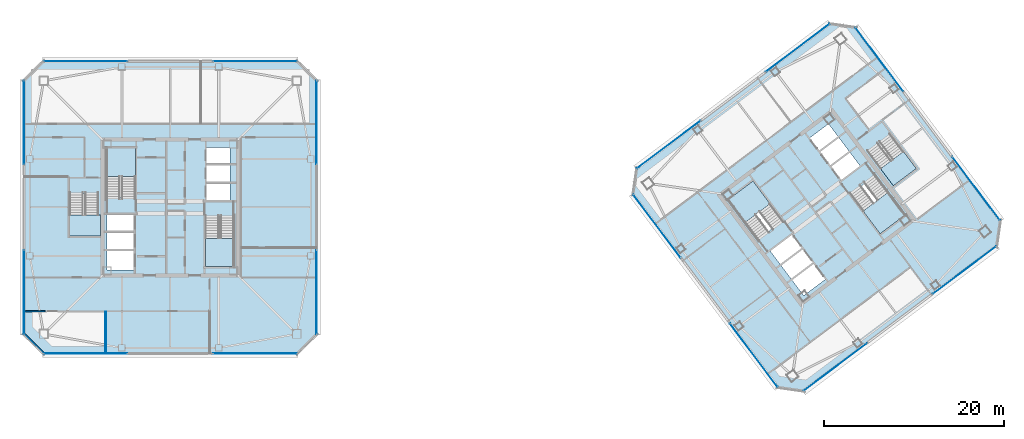
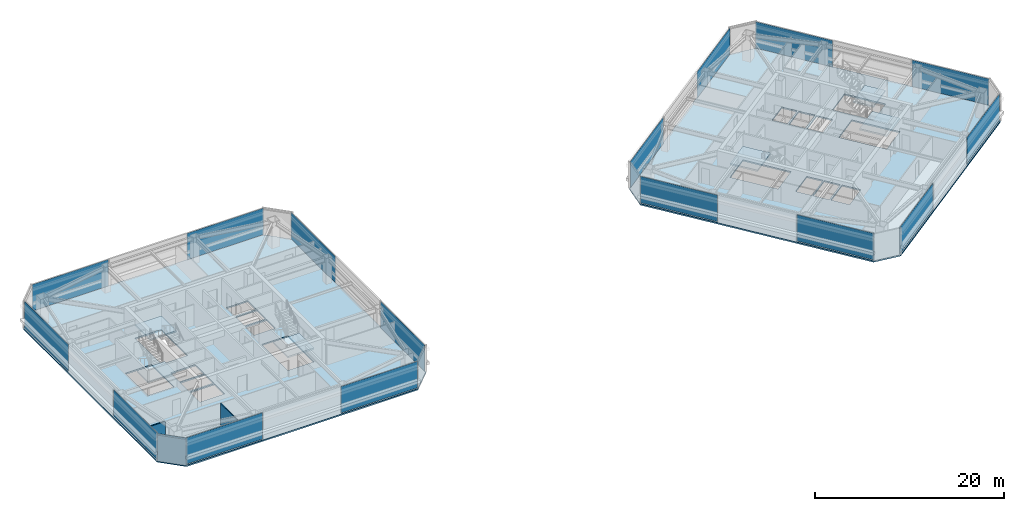
# One storey, part 28 of 39: 16 plates, 8 slabs, 3 walls, 22 elements without a shape of their own.
"""IFC4 building model written with IfcOpenShell, lengths in metres."""

from ifc_helpers import new_model, si_unit, direction, frame, frame_2d, origin, origin_2d, place, context, subcontext, project, spatial, polyline, rectangle, outline, extrude, material, layer, layer_set, type_object, element, aggregate, save


model = new_model("IFC4")

# Units and contexts
model_context = context("Model", 3, precision=1e-05, world=origin(), true_north=direction((0.0, 1.0)))
body_context = subcontext(model_context, "Body", "Model", "MODEL_VIEW")
ifc_project = project(units=[si_unit("LENGTHUNIT", "METRE"), si_unit("AREAUNIT", "SQUARE_METRE"), si_unit("VOLUMEUNIT", "CUBIC_METRE"), si_unit("PLANEANGLEUNIT", "RADIAN"), si_unit("MASSUNIT", "GRAM", prefix="KILO")], contexts=[model_context])

# Site, building, storey
site_placement = place(None, origin())
site = spatial("IfcSite", under=ifc_project, at=site_placement, CompositionType="ELEMENT")
building_placement = place(site_placement, origin())
building = spatial("IfcBuilding", under=site, at=building_placement, Name="Tashvorn Skyway Center", CompositionType="ELEMENT")
storey_placement = place(building_placement, frame((0.0, 0.0, 207.75)))
storey = spatial("IfcBuildingStorey", under=building, at=storey_placement, Name="L56", CompositionType="ELEMENT", Elevation=207.75)

# Curtain wall, plate
ifc_material_1 = material(Name="Thermally broken bronze-anodized aluminium 6063-T6", Category="aluminium")
curtain_wall_type = type_object("IfcCurtainWallType", Name="CW-CW-Z5", PredefinedType="NOTDEFINED", material=ifc_material_1)
curtain_wall_1_placement = place(storey_placement, origin())
curtain_wall_1 = element("IfcCurtainWall", 1, at=curtain_wall_1_placement, inside=storey, type_object=curtain_wall_type, Name="Tower 1 L56 South Unitised Curtain Wall Glazing Group 1", PredefinedType="NOTDEFINED")
ifc_material_2 = material(Name="Low-E solar-control double insulating safety glass", Category="glass")
ifc_layer_1 = layer(ifc_material_2, 0.031982421875)
ifc_layer_set_1 = layer_set([ifc_layer_1], Name="Low-E solar-control double insulating safety glass")
plate_type = type_object("IfcPlateType", Name="CWP-CW-Z5", PredefinedType="CURTAIN_PANEL", material=ifc_layer_set_1)
plate_1_placement = place(storey_placement, frame((51.453369140625, 15.719970703125, 0.06982421875), z_axis=(0.0, 0.0, 1.0), x_axis=(-1.0, 0.0, 0.0)))
plate_1 = element("IfcPlate", 2, at=plate_1_placement, type_object=plate_type, Name="CW-Z5 panel 1.1", PredefinedType="CURTAIN_PANEL", context=body_context, shape_type="SweptSolid", body=[
    extrude(rectangle(XDim=9.313232421875, YDim=0.031982421875, at=origin_2d()), origin(), (0.0, 0.0, 1.0), 3.409912109375),
])
aggregate(curtain_wall_1, [plate_1])

curtain_wall_2_placement = place(storey_placement, origin())
curtain_wall_2 = element("IfcCurtainWall", 3, at=curtain_wall_2_placement, inside=storey, type_object=curtain_wall_type, Name="Tower 1 L56 South Unitised Curtain Wall Glazing Group 2", PredefinedType="NOTDEFINED")
plate_2_placement = place(storey_placement, frame((32.546630859375, 15.719970703125, 0.06982421875), z_axis=(0.0, 0.0, 1.0), x_axis=(-1.0, 0.0, 0.0)))
plate_2 = element("IfcPlate", 4, at=plate_2_placement, type_object=plate_type, Name="CW-Z5 panel 1.1", PredefinedType="CURTAIN_PANEL", context=body_context, shape_type="SweptSolid", body=[
    extrude(rectangle(XDim=9.313232421875, YDim=0.031982421875, at=origin_2d()), origin(), (0.0, 0.0, 1.0), 3.409912109375),
])
aggregate(curtain_wall_2, [plate_2])

curtain_wall_3_placement = place(storey_placement, origin())
curtain_wall_3 = element("IfcCurtainWall", 5, at=curtain_wall_3_placement, inside=storey, type_object=curtain_wall_type, Name="Tower 1 L56 West Unitised Curtain Wall Glazing Group 1", PredefinedType="NOTDEFINED")
plate_3_placement = place(storey_placement, frame((25.719970703125, 22.546630859375, 0.06982421875), z_axis=(0.0, 0.0, 1.0), x_axis=(0.0, 1.0, 0.0)))
plate_3 = element("IfcPlate", 6, at=plate_3_placement, type_object=plate_type, Name="CW-Z5 panel 1.1", PredefinedType="CURTAIN_PANEL", context=body_context, shape_type="SweptSolid", body=[
    extrude(rectangle(XDim=9.313232421875, YDim=0.031982421875, at=origin_2d()), origin(), (0.0, 0.0, 1.0), 3.409912109375),
])
aggregate(curtain_wall_3, [plate_3])

curtain_wall_4_placement = place(storey_placement, origin())
curtain_wall_4 = element("IfcCurtainWall", 7, at=curtain_wall_4_placement, inside=storey, type_object=curtain_wall_type, Name="Tower 1 L56 West Unitised Curtain Wall Glazing Group 2", PredefinedType="NOTDEFINED")
plate_4_placement = place(storey_placement, frame((25.719970703125, 41.453369140625, 0.06982421875), z_axis=(0.0, 0.0, 1.0), x_axis=(0.0, 1.0, 0.0)))
plate_4 = element("IfcPlate", 8, at=plate_4_placement, type_object=plate_type, Name="CW-Z5 panel 1.1", PredefinedType="CURTAIN_PANEL", context=body_context, shape_type="SweptSolid", body=[
    extrude(rectangle(XDim=9.313232421875, YDim=0.031982421875, at=origin_2d()), origin(), (0.0, 0.0, 1.0), 3.409912109375),
])
aggregate(curtain_wall_4, [plate_4])

curtain_wall_5_placement = place(storey_placement, origin())
curtain_wall_5 = element("IfcCurtainWall", 9, at=curtain_wall_5_placement, inside=storey, type_object=curtain_wall_type, Name="Tower 1 L56 North Unitised Curtain Wall Glazing Group 1", PredefinedType="NOTDEFINED")
plate_5_placement = place(storey_placement, frame((32.546630859375, 48.280029296875, 0.06982421875), z_axis=(0.0, 0.0, 1.0), x_axis=(1.0, 0.0, 0.0)))
plate_5 = element("IfcPlate", 10, at=plate_5_placement, type_object=plate_type, Name="CW-Z5 panel 1.1", PredefinedType="CURTAIN_PANEL", context=body_context, shape_type="SweptSolid", body=[
    extrude(rectangle(XDim=9.313232421875, YDim=0.031982421875, at=origin_2d()), origin(), (0.0, 0.0, 1.0), 3.409912109375),
])
aggregate(curtain_wall_5, [plate_5])

curtain_wall_6_placement = place(storey_placement, origin())
curtain_wall_6 = element("IfcCurtainWall", 11, at=curtain_wall_6_placement, inside=storey, type_object=curtain_wall_type, Name="Tower 1 L56 North Unitised Curtain Wall Glazing Group 2", PredefinedType="NOTDEFINED")
plate_6_placement = place(storey_placement, frame((51.453369140625, 48.280029296875, 0.06982421875), z_axis=(0.0, 0.0, 1.0), x_axis=(1.0, 0.0, 0.0)))
plate_6 = element("IfcPlate", 12, at=plate_6_placement, type_object=plate_type, Name="CW-Z5 panel 1.1", PredefinedType="CURTAIN_PANEL", context=body_context, shape_type="SweptSolid", body=[
    extrude(rectangle(XDim=9.313232421875, YDim=0.031982421875, at=origin_2d()), origin(), (0.0, 0.0, 1.0), 3.409912109375),
])
aggregate(curtain_wall_6, [plate_6])

curtain_wall_7_placement = place(storey_placement, origin())
curtain_wall_7 = element("IfcCurtainWall", 13, at=curtain_wall_7_placement, inside=storey, type_object=curtain_wall_type, Name="Tower 1 L56 East Unitised Curtain Wall Glazing Group 1", PredefinedType="NOTDEFINED")
plate_7_placement = place(storey_placement, frame((58.280029296875, 41.453369140625, 0.06982421875), z_axis=(0.0, 0.0, 1.0), x_axis=(0.0, -1.0, 0.0)))
plate_7 = element("IfcPlate", 14, at=plate_7_placement, type_object=plate_type, Name="CW-Z5 panel 1.1", PredefinedType="CURTAIN_PANEL", context=body_context, shape_type="SweptSolid", body=[
    extrude(rectangle(XDim=9.313232421875, YDim=0.031982421875, at=origin_2d()), origin(), (0.0, 0.0, 1.0), 3.409912109375),
])
aggregate(curtain_wall_7, [plate_7])

curtain_wall_8_placement = place(storey_placement, origin())
curtain_wall_8 = element("IfcCurtainWall", 15, at=curtain_wall_8_placement, inside=storey, type_object=curtain_wall_type, Name="Tower 1 L56 East Unitised Curtain Wall Glazing Group 2", PredefinedType="NOTDEFINED")
plate_8_placement = place(storey_placement, frame((58.280029296875, 22.546630859375, 0.06982421875), z_axis=(0.0, 0.0, 1.0), x_axis=(0.0, -1.0, 0.0)))
plate_8 = element("IfcPlate", 16, at=plate_8_placement, type_object=plate_type, Name="CW-Z5 panel 1.1", PredefinedType="CURTAIN_PANEL", context=body_context, shape_type="SweptSolid", body=[
    extrude(rectangle(XDim=9.313232421875, YDim=0.031982421875, at=origin_2d()), origin(), (0.0, 0.0, 1.0), 3.409912109375),
])
aggregate(curtain_wall_8, [plate_8])

curtain_wall_9_placement = place(storey_placement, origin())
curtain_wall_9 = element("IfcCurtainWall", 17, at=curtain_wall_9_placement, inside=storey, type_object=curtain_wall_type, Name="Tower 2 L56 South Unitised Curtain Wall Glazing Group 1", PredefinedType="NOTDEFINED")
plate_9_placement = place(storey_placement, frame((130.477294921875, 25.008056640625, 0.06982421875), z_axis=(0.0, 0.0, 1.0), x_axis=(-0.799998664683, -0.600001780418, 0.0)))
plate_9 = element("IfcPlate", 18, at=plate_9_placement, type_object=plate_type, Name="CW-Z5 panel 1.1", PredefinedType="CURTAIN_PANEL", context=body_context, shape_type="SweptSolid", body=[
    extrude(rectangle(XDim=8.8466796875, YDim=0.031982421875, at=origin_2d()), origin(), (0.0, 0.0, 1.0), 3.409912109375),
])
aggregate(curtain_wall_9, [plate_9])

curtain_wall_10_placement = place(storey_placement, origin())
curtain_wall_10 = element("IfcCurtainWall", 19, at=curtain_wall_10_placement, inside=storey, type_object=curtain_wall_type, Name="Tower 2 L56 South Unitised Curtain Wall Glazing Group 2", PredefinedType="NOTDEFINED")
plate_10_placement = place(storey_placement, frame((116.0986328125, 14.22412109375, 0.06982421875), z_axis=(0.0, 0.0, 1.0), x_axis=(-0.799998664683, -0.600001780418, 0.0)))
plate_10 = element("IfcPlate", 20, at=plate_10_placement, type_object=plate_type, Name="CW-Z5 panel 1.1", PredefinedType="CURTAIN_PANEL", context=body_context, shape_type="SweptSolid", body=[
    extrude(rectangle(XDim=8.8466796875, YDim=0.031982421875, at=origin_2d()), origin(), (0.0, 0.0, 1.0), 3.409912109375),
])
aggregate(curtain_wall_10, [plate_10])

curtain_wall_11_placement = place(storey_placement, origin())
curtain_wall_11 = element("IfcCurtainWall", 21, at=curtain_wall_11_placement, inside=storey, type_object=curtain_wall_type, Name="Tower 2 L56 West Unitised Curtain Wall Glazing Group 1", PredefinedType="NOTDEFINED")
plate_11_placement = place(storey_placement, frame((107.008056640625, 15.522705078125, 0.06982421875), z_axis=(0.0, 0.0, 1.0), x_axis=(-0.600001780418, 0.799998664683, 0.0)))
plate_11 = element("IfcPlate", 22, at=plate_11_placement, type_object=plate_type, Name="CW-Z5 panel 1.1", PredefinedType="CURTAIN_PANEL", context=body_context, shape_type="SweptSolid", body=[
    extrude(rectangle(XDim=8.8466796875, YDim=0.031982421875, at=origin_2d()), origin(), (0.0, 0.0, 1.0), 3.409912109375),
])
aggregate(curtain_wall_11, [plate_11])

curtain_wall_12_placement = place(storey_placement, origin())
curtain_wall_12 = element("IfcCurtainWall", 23, at=curtain_wall_12_placement, inside=storey, type_object=curtain_wall_type, Name="Tower 2 L56 West Unitised Curtain Wall Glazing Group 2", PredefinedType="NOTDEFINED")
plate_12_placement = place(storey_placement, frame((96.22412109375, 29.9013671875, 0.06982421875), z_axis=(0.0, 0.0, 1.0), x_axis=(-0.600001780418, 0.799998664683, 0.0)))
plate_12 = element("IfcPlate", 24, at=plate_12_placement, type_object=plate_type, Name="CW-Z5 panel 1.1", PredefinedType="CURTAIN_PANEL", context=body_context, shape_type="SweptSolid", body=[
    extrude(rectangle(XDim=8.8466796875, YDim=0.031982421875, at=origin_2d()), origin(), (0.0, 0.0, 1.0), 3.409912109375),
])
aggregate(curtain_wall_12, [plate_12])

curtain_wall_13_placement = place(storey_placement, origin())
curtain_wall_13 = element("IfcCurtainWall", 25, at=curtain_wall_13_placement, inside=storey, type_object=curtain_wall_type, Name="Tower 2 L56 North Unitised Curtain Wall Glazing Group 1", PredefinedType="NOTDEFINED")
plate_13_placement = place(storey_placement, frame((97.522705078125, 38.991943359375, 0.06982421875), z_axis=(0.0, 0.0, 1.0), x_axis=(0.799998664683, 0.600001780418, 0.0)))
plate_13 = element("IfcPlate", 26, at=plate_13_placement, type_object=plate_type, Name="CW-Z5 panel 1.1", PredefinedType="CURTAIN_PANEL", context=body_context, shape_type="SweptSolid", body=[
    extrude(rectangle(XDim=8.8466796875, YDim=0.031982421875, at=origin_2d()), origin(), (0.0, 0.0, 1.0), 3.409912109375),
])
aggregate(curtain_wall_13, [plate_13])

curtain_wall_14_placement = place(storey_placement, origin())
curtain_wall_14 = element("IfcCurtainWall", 27, at=curtain_wall_14_placement, inside=storey, type_object=curtain_wall_type, Name="Tower 2 L56 North Unitised Curtain Wall Glazing Group 2", PredefinedType="NOTDEFINED")
plate_14_placement = place(storey_placement, frame((111.9013671875, 49.77587890625, 0.06982421875), z_axis=(0.0, 0.0, 1.0), x_axis=(0.799998664683, 0.600001780418, 0.0)))
plate_14 = element("IfcPlate", 28, at=plate_14_placement, type_object=plate_type, Name="CW-Z5 panel 1.1", PredefinedType="CURTAIN_PANEL", context=body_context, shape_type="SweptSolid", body=[
    extrude(rectangle(XDim=8.8466796875, YDim=0.031982421875, at=origin_2d()), origin(), (0.0, 0.0, 1.0), 3.409912109375),
])
aggregate(curtain_wall_14, [plate_14])

curtain_wall_15_placement = place(storey_placement, origin())
curtain_wall_15 = element("IfcCurtainWall", 29, at=curtain_wall_15_placement, inside=storey, type_object=curtain_wall_type, Name="Tower 2 L56 East Unitised Curtain Wall Glazing Group 1", PredefinedType="NOTDEFINED")
plate_15_placement = place(storey_placement, frame((120.991943359375, 48.477294921875, 0.06982421875), z_axis=(0.0, 0.0, 1.0), x_axis=(0.600001780418, -0.799998664683, 0.0)))
plate_15 = element("IfcPlate", 30, at=plate_15_placement, type_object=plate_type, Name="CW-Z5 panel 1.1", PredefinedType="CURTAIN_PANEL", context=body_context, shape_type="SweptSolid", body=[
    extrude(rectangle(XDim=8.8466796875, YDim=0.031982421875, at=origin_2d()), origin(), (0.0, 0.0, 1.0), 3.409912109375),
])
aggregate(curtain_wall_15, [plate_15])

curtain_wall_16_placement = place(storey_placement, origin())
curtain_wall_16 = element("IfcCurtainWall", 31, at=curtain_wall_16_placement, inside=storey, type_object=curtain_wall_type, Name="Tower 2 L56 East Unitised Curtain Wall Glazing Group 2", PredefinedType="NOTDEFINED")
plate_16_placement = place(storey_placement, frame((131.77587890625, 34.0986328125, 0.06982421875), z_axis=(0.0, 0.0, 1.0), x_axis=(0.600001780418, -0.799998664683, 0.0)))
plate_16 = element("IfcPlate", 32, at=plate_16_placement, type_object=plate_type, Name="CW-Z5 panel 1.1", PredefinedType="CURTAIN_PANEL", context=body_context, shape_type="SweptSolid", body=[
    extrude(rectangle(XDim=8.8466796875, YDim=0.031982421875, at=origin_2d()), origin(), (0.0, 0.0, 1.0), 3.409912109375),
])
aggregate(curtain_wall_16, [plate_16])

# Slabs
ifc_material_3 = material(Name="Concrete C40/50", Category="concrete")
ifc_layer_2 = layer(ifc_material_3, 0.179931640625)
ifc_layer_set_2 = layer_set([ifc_layer_2], Name="Concrete C40/50")
slab_type_1 = type_object("IfcSlabType", Name="SLAB-FLR-180", PredefinedType="FLOOR", material=ifc_layer_set_2)
slab_1_placement = place(storey_placement, frame((0.0, 0.0, -0.179931640625)))
element("IfcSlab", 33, at=slab_1_placement, inside=storey, type_object=slab_type_1, Name="Tower 1 L56 Composite Floor Slab", PredefinedType="FLOOR", context=body_context, shape_type="SweptSolid", body=[
    extrude(outline(polyline([(27.89990234375, 15.60009765625), (56.10009765625, 15.60009765625), (58.39990234375, 17.89990234375), (58.39990234375, 46.10009765625), (56.10009765625, 48.39990234375), (27.89990234375, 48.39990234375), (25.60009765625, 46.10009765625), (25.60009765625, 17.89990234375), (27.89990234375, 15.60009765625)]), holes=[polyline([(38.10009765625, 33.080078125), (38.10009765625, 38.60009765625), (34.89990234375, 38.60009765625), (34.89990234375, 33.080078125), (38.10009765625, 33.080078125)]), polyline([(45.89990234375, 30.919921875), (45.89990234375, 25.39990234375), (49.10009765625, 25.39990234375), (49.10009765625, 30.919921875), (45.89990234375, 30.919921875)]), polyline([(30.800048828125, 33.52001953125), (30.800048828125, 28.800048828125), (34.0, 28.800048828125), (34.0, 33.52001953125), (30.800048828125, 33.52001953125)]), polyline([(34.949951171875, 29.35009765625), (37.949951171875, 29.35009765625), (37.949951171875, 31.199951171875), (34.949951171875, 31.199951171875), (34.949951171875, 29.35009765625)]), polyline([(34.949951171875, 27.35009765625), (37.949951171875, 27.35009765625), (37.949951171875, 29.199951171875), (34.949951171875, 29.199951171875), (34.949951171875, 27.35009765625)]), polyline([(34.949951171875, 25.0), (37.949951171875, 25.0), (37.949951171875, 27.14990234375), (34.949951171875, 27.14990234375), (34.949951171875, 25.0)]), polyline([(46.050048828125, 32.800048828125), (48.64990234375, 32.800048828125), (48.64990234375, 34.64990234375), (46.050048828125, 34.64990234375), (46.050048828125, 32.800048828125)]), polyline([(46.050048828125, 34.85009765625), (48.64990234375, 34.85009765625), (48.64990234375, 36.699951171875), (46.050048828125, 36.699951171875), (46.050048828125, 34.85009765625)]), polyline([(46.050048828125, 36.89990234375), (48.64990234375, 36.89990234375), (48.64990234375, 38.64990234375), (46.050048828125, 38.64990234375), (46.050048828125, 36.89990234375)])]), origin(), (0.0, 0.0, 1.0), 0.179931640625),
])
slab_2_placement = place(storey_placement, frame((0.0, 0.0, -0.179931640625)))
element("IfcSlab", 34, at=slab_2_placement, inside=storey, type_object=slab_type_1, Name="Tower 2 L56 Composite Floor Slab", PredefinedType="FLOOR", context=body_context, shape_type="SweptSolid", body=[
    extrude(outline(polyline([(112.639892578125, 11.47998046875), (134.080078125, 27.56005859375), (134.52001953125, 30.639892578125), (118.43994140625, 52.080078125), (115.360107421875, 52.52001953125), (93.919921875, 36.43994140625), (93.47998046875, 33.360107421875), (109.56005859375, 11.919921875), (112.639892578125, 11.47998046875)]), holes=[polyline([(110.23193359375, 30.52392578125), (106.919921875, 34.93994140625), (104.135986328125, 32.85205078125), (107.447998046875, 28.43603515625), (110.23193359375, 30.52392578125)]), polyline([(117.76806640625, 33.47607421875), (121.080078125, 29.06005859375), (123.864013671875, 31.14794921875), (120.552001953125, 35.56396484375), (117.76806640625, 33.47607421875)]), polyline([(119.7119140625, 38.18408203125), (122.5439453125, 34.407958984375), (125.10400390625, 36.327880859375), (122.27197265625, 40.10400390625), (119.7119140625, 38.18408203125)]), polyline([(109.949951171875, 25.64990234375), (112.35009765625, 27.449951171875), (111.239990234375, 28.929931640625), (108.840087890625, 27.1298828125), (109.949951171875, 25.64990234375)]), polyline([(111.14990234375, 24.050048828125), (113.550048828125, 25.85009765625), (112.43994140625, 27.330078125), (110.0400390625, 25.530029296875), (111.14990234375, 24.050048828125)]), polyline([(112.56005859375, 22.169921875), (114.9599609375, 23.969970703125), (113.669921875, 25.68994140625), (111.27001953125, 23.889892578125), (112.56005859375, 22.169921875)]), polyline([(116.760009765625, 35.070068359375), (118.840087890625, 36.6298828125), (117.72998046875, 38.110107421875), (115.64990234375, 36.550048828125), (116.760009765625, 35.070068359375)]), polyline([(115.530029296875, 36.7099609375), (117.610107421875, 38.27001953125), (116.5, 39.75), (114.419921875, 38.18994140625), (115.530029296875, 36.7099609375)]), polyline([(114.300048828125, 38.35009765625), (116.3798828125, 39.909912109375), (115.330078125, 41.31005859375), (113.25, 39.75), (114.300048828125, 38.35009765625)])]), origin(), (0.0, 0.0, 1.0), 0.179931640625),
])

# Stair, slab
stair_type = type_object("IfcStairType", Name="STAIR-CORE-1500", PredefinedType="HALF_TURN_STAIR", material=ifc_material_3)
stair_1_placement = place(storey_placement, origin())
stair_1 = element("IfcStair", 35, at=stair_1_placement, inside=storey, type_object=stair_type, Name="L56 Tower 1 Exit Stair 1", PredefinedType="HALF_TURN_STAIR")
ifc_layer_3 = layer(ifc_material_3, 0.199951171875)
ifc_layer_set_3 = layer_set([ifc_layer_3], Name="Concrete C40/50")
slab_type_2 = type_object("IfcSlabType", Name="SLAB-LAND-200", PredefinedType="LANDING", material=ifc_layer_set_3)
slab_3_placement = place(storey_placement, frame((0.0, 0.0, 1.574951171875)))
slab_3 = element("IfcSlab", 36, at=slab_3_placement, type_object=slab_type_2, Name="ST-T1-1 landing 1", PredefinedType="LANDING", context=body_context, shape_type="SweptSolid", body=[
    extrude(outline(polyline([(38.10009765625, 35.43994140625), (38.10009765625, 38.60009765625), (34.89990234375, 38.60009765625), (34.89990234375, 35.43994140625), (38.10009765625, 35.43994140625)])), origin(), (0.0, 0.0, 1.0), 0.199951171875),
])
aggregate(stair_1, [slab_3])

stair_2_placement = place(storey_placement, origin())
stair_2 = element("IfcStair", 37, at=stair_2_placement, inside=storey, type_object=stair_type, Name="L56 Tower 1 Exit Stair 2", PredefinedType="HALF_TURN_STAIR")
slab_4_placement = place(storey_placement, frame((0.0, 0.0, 1.574951171875)))
slab_4 = element("IfcSlab", 38, at=slab_4_placement, type_object=slab_type_2, Name="ST-T1-2 landing 1", PredefinedType="LANDING", context=body_context, shape_type="SweptSolid", body=[
    extrude(outline(polyline([(45.89990234375, 28.56005859375), (45.89990234375, 25.39990234375), (49.10009765625, 25.39990234375), (49.10009765625, 28.56005859375), (45.89990234375, 28.56005859375)])), origin(), (0.0, 0.0, 1.0), 0.199951171875),
])
aggregate(stair_2, [slab_4])

stair_3_placement = place(storey_placement, origin())
stair_3 = element("IfcStair", 39, at=stair_3_placement, inside=storey, type_object=stair_type, Name="L56 Tower 2 Exit Stair 1", PredefinedType="HALF_TURN_STAIR")
slab_5_placement = place(storey_placement, frame((0.0, 0.0, 1.574951171875)))
slab_5 = element("IfcSlab", 40, at=slab_5_placement, type_object=slab_type_2, Name="ST-T2-1 landing 1", PredefinedType="LANDING", context=body_context, shape_type="SweptSolid", body=[
    extrude(outline(polyline([(108.82080078125, 32.405517578125), (106.919921875, 34.93994140625), (104.135986328125, 32.85205078125), (106.036865234375, 30.317626953125), (108.82080078125, 32.405517578125)])), origin(), (0.0, 0.0, 1.0), 0.199951171875),
])
aggregate(stair_3, [slab_5])

stair_4_placement = place(storey_placement, origin())
stair_4 = element("IfcStair", 41, at=stair_4_placement, inside=storey, type_object=stair_type, Name="L56 Tower 2 Exit Stair 2", PredefinedType="HALF_TURN_STAIR")
slab_6_placement = place(storey_placement, frame((0.0, 0.0, 1.574951171875)))
slab_6 = element("IfcSlab", 42, at=slab_6_placement, type_object=slab_type_2, Name="ST-T2-2 landing 1", PredefinedType="LANDING", context=body_context, shape_type="SweptSolid", body=[
    extrude(outline(polyline([(119.17919921875, 31.594482421875), (121.080078125, 29.06005859375), (123.864013671875, 31.14794921875), (121.963134765625, 33.682373046875), (119.17919921875, 31.594482421875)])), origin(), (0.0, 0.0, 1.0), 0.199951171875),
])
aggregate(stair_4, [slab_6])

stair_5_placement = place(storey_placement, origin())
stair_5 = element("IfcStair", 43, at=stair_5_placement, inside=storey, type_object=stair_type, Name="L56 Tower 1 Exit Stair 3", PredefinedType="HALF_TURN_STAIR")
slab_7_placement = place(storey_placement, frame((0.0, 0.0, 1.574951171875)))
slab_7 = element("IfcSlab", 44, at=slab_7_placement, type_object=slab_type_2, Name="ST-T1-3 landing 1", PredefinedType="LANDING", context=body_context, shape_type="SweptSolid", body=[
    extrude(outline(polyline([(30.800048828125, 31.159912109375), (30.800048828125, 28.800048828125), (34.199951171875, 28.800048828125), (34.199951171875, 31.159912109375), (30.800048828125, 31.159912109375)])), origin(), (0.0, 0.0, 1.0), 0.199951171875),
])
aggregate(stair_5, [slab_7])

stair_6_placement = place(storey_placement, origin())
stair_6 = element("IfcStair", 45, at=stair_6_placement, inside=storey, type_object=stair_type, Name="L56 Tower 2 Exit Stair 3", PredefinedType="HALF_TURN_STAIR")
slab_8_placement = place(storey_placement, frame((0.0, 0.0, 1.574951171875)))
slab_8 = element("IfcSlab", 46, at=slab_8_placement, type_object=slab_type_2, Name="ST-T2-3 landing 1", PredefinedType="LANDING", context=body_context, shape_type="SweptSolid", body=[
    extrude(outline(polyline([(121.123291015625, 36.302490234375), (122.5439453125, 34.407958984375), (125.10400390625, 36.327880859375), (123.68310546875, 38.222412109375), (121.123291015625, 36.302490234375)])), origin(), (0.0, 0.0, 1.0), 0.199951171875),
])
aggregate(stair_6, [slab_8])

# Walls
ifc_material_4 = material(Name="Precast concrete C40/50", Category="concrete")
ifc_layer_4 = layer(ifc_material_4, 0.280029296875)
ifc_layer_set_4 = layer_set([ifc_layer_4], Name="Precast concrete C40/50")
wall_type_1 = type_object("IfcWallType", Name="WALL-EXT-280", PredefinedType="SOLIDWALL", material=ifc_layer_set_4)
wall_1_placement = place(storey_placement, frame((27.89990234375, 15.699951171875, 0.0), z_axis=(0.0, 0.0, 1.0), x_axis=(-0.707106781187, 0.707106781187, 0.0)))
element("IfcWall", 47, at=wall_1_placement, inside=storey, type_object=wall_type_1, Name="Tower 1 L56 SW Precast Chamfer Wall", PredefinedType="SOLIDWALL", context=body_context, shape_type="SweptSolid", body=[
    extrude(rectangle(XDim=3.111083984375, YDim=0.280029296875, at=frame_2d((1.5556640625, 0.0))), origin(), (0.0, 0.0, 1.0), 3.3701171875),
])
ifc_material_5 = material(Name="Gypsum board on cold-formed steel stud framing", Category="steel")
ifc_layer_5 = layer(ifc_material_5, 0.110107421875)
ifc_layer_set_5 = layer_set([ifc_layer_5], Name="Gypsum board on cold-formed steel stud framing")
wall_type_2 = type_object("IfcWallType", Name="WALL-PART-110", PredefinedType="PARTITIONING", material=ifc_layer_set_5)
wall_2_placement = place(storey_placement, frame((34.800048828125, 15.719970703125, 0.0), z_axis=(0.0, 0.0, 1.0), x_axis=(0.0, 1.0, 0.0)))
element("IfcWall", 48, at=wall_2_placement, inside=storey, type_object=wall_type_2, Name="Tower 1 L56 South Suite Partition 1", PredefinedType="PARTITIONING", context=body_context, shape_type="SweptSolid", body=[
    extrude(rectangle(XDim=4.630126953125, YDim=0.110107421875, at=frame_2d((2.31494140625, 0.0))), origin(), (0.0, 0.0, 1.0), 2.722900390625),
])
ifc_layer_6 = layer(ifc_material_5, 0.135009765625)
ifc_layer_set_6 = layer_set([ifc_layer_6], Name="Gypsum board on cold-formed steel stud framing")
wall_type_3 = type_object("IfcWallType", Name="WALL-PART-135", PredefinedType="PARTITIONING", material=ifc_layer_set_6)
wall_3_placement = place(storey_placement, frame((25.719970703125, 20.429931640625, 0.0), z_axis=(0.0, 0.0, 1.0), x_axis=(1.0, 0.0, 0.0)))
element("IfcWall", 49, at=wall_3_placement, inside=storey, type_object=wall_type_3, Name="Tower 1 L56 South-West Suite North Wall", PredefinedType="PARTITIONING", context=body_context, shape_type="SweptSolid", body=[
    extrude(rectangle(XDim=2.330078125, YDim=0.135009765625, at=frame_2d((1.1650390625, 0.0))), origin(), (0.0, 0.0, 1.0), 2.722900390625),
])

save(model, "model.ifc")
